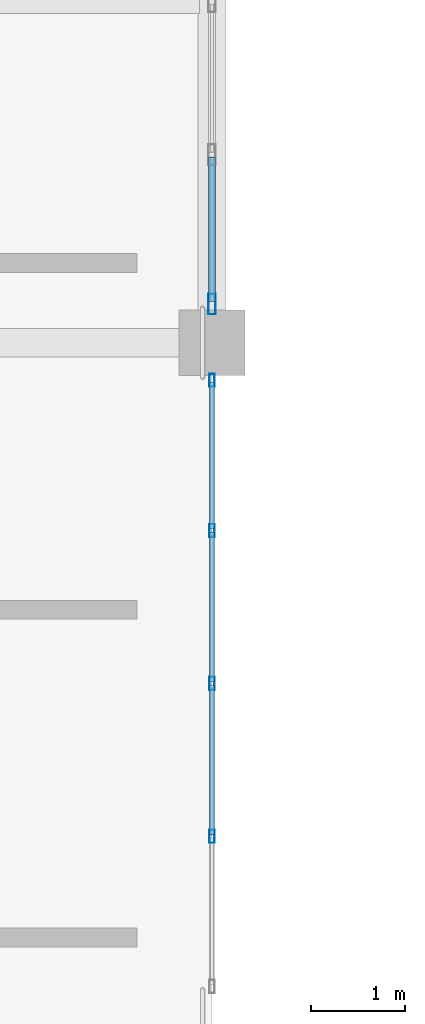
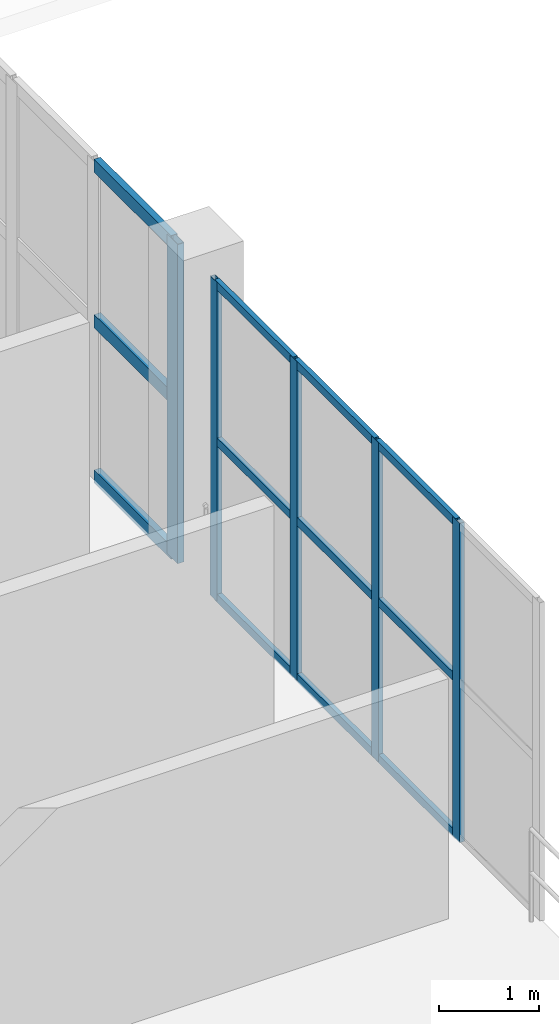
# One storey, part 64 of 130: 17 members, 2 elements without a shape of their own.
"""IFC4 building model written with IfcOpenShell, lengths in metres."""

import ifcopenshell
import ifcopenshell.guid

model = None  # the IFC model being written
_history = None  # IfcOwnerHistory: only IFC2X3 demands one
_inside = {}  # id of a spatial element -> (the spatial element, [elements in it])
_under = {}  # id of a project, library or spatial element -> (it, [spatial elements below it])
_declared = {}  # id of a project -> (the project, [libraries it declares])
_typed = {}  # id of a type object -> (the type object, [elements of that type])
_made_of = {}  # id of a material, layer set ... -> (it, [elements and type objects made of it])


def new_model(schema):
    """Start an empty IFC model of exactly this schema.

    Asked for "IFC4X3", IfcOpenShell would pick the latest addendum, in which some entities
    have other attributes; the version numbers below select the first issue.
    IFC2X3 requires an IfcOwnerHistory on every rooted entity: one is made here for all.
    """
    global model, _history
    if schema == "IFC4X3":
        model = ifcopenshell.file(schema_version=(4, 3, 0, 0))
    else:
        model = ifcopenshell.file(schema=schema)
    _inside.clear()
    _under.clear()
    _declared.clear()
    _typed.clear()
    _made_of.clear()
    _history = None
    if model.schema == "IFC2X3":
        org = make("IfcOrganization", Name="unknown")
        user = make(
            "IfcPersonAndOrganization",
            ThePerson=make("IfcPerson", FamilyName="unknown"),
            TheOrganization=org,
        )
        app = make(
            "IfcApplication",
            ApplicationDeveloper=org,
            Version="unknown",
            ApplicationFullName="unknown",
            ApplicationIdentifier="unknown",
        )
        _history = make(
            "IfcOwnerHistory",
            OwningUser=user,
            OwningApplication=app,
            ChangeAction="ADDED",
            CreationDate=0,
        )
    return model


def make(cls, **values):
    """One entity of the class cls with the attributes given. An attribute that is None is left unset."""
    return model.create_entity(
        cls, **{name: value for name, value in values.items() if value is not None}
    )


def rooted(cls, **values):
    """An entity with a GlobalId (a new one), such as an element, a storey or a relation."""
    return make(cls, GlobalId=ifcopenshell.guid.new(), OwnerHistory=_history, **values)


def si_unit(unit_type, name, prefix=None):
    """IfcSIUnit, for example si_unit("LENGTHUNIT", "METRE", prefix="MILLI")."""
    return make("IfcSIUnit", UnitType=unit_type, Prefix=prefix, Name=name)


def assignment(units):
    """IfcUnitAssignment: the units of a project."""
    return None if units is None else make("IfcUnitAssignment", Units=units)


def point(xyz):
    """IfcCartesianPoint."""
    return None if xyz is None else make("IfcCartesianPoint", Coordinates=xyz)


def direction(xyz):
    """IfcDirection."""
    return None if xyz is None else make("IfcDirection", DirectionRatios=xyz)


def frame(location, z_axis=None, x_axis=None):
    """IfcAxis2Placement3D, a coordinate frame: its origin and axes. An axis left out is left unset."""
    return make(
        "IfcAxis2Placement3D",
        Location=point(location),
        Axis=direction(z_axis),
        RefDirection=direction(x_axis),
    )


def frame_2d(location, x_axis=None):
    """IfcAxis2Placement2D, a coordinate frame in the plane: its origin and x axis."""
    return make(
        "IfcAxis2Placement2D", Location=point(location), RefDirection=direction(x_axis)
    )


def origin():
    """The frame at (0, 0, 0) with its axes left unset."""
    return frame((0.0, 0.0, 0.0))


def origin_2d():
    """The frame at (0, 0) in the plane with its x axis left unset."""
    return frame_2d((0.0, 0.0))


def place(relative_to, where):
    """IfcLocalPlacement: puts the frame where relative to a parent placement (None: the world)."""
    return make(
        "IfcLocalPlacement", PlacementRelTo=relative_to, RelativePlacement=where
    )


def context(
    kind, dimensions, precision=None, world=None, true_north=None, identifier=None
):
    """IfcGeometricRepresentationContext, for example the 3D "Model" context."""
    return make(
        "IfcGeometricRepresentationContext",
        ContextIdentifier=identifier,
        ContextType=kind,
        CoordinateSpaceDimension=dimensions,
        Precision=precision,
        WorldCoordinateSystem=world,
        TrueNorth=true_north,
    )


def subcontext(parent, identifier, kind, view, scale=None):
    """IfcGeometricRepresentationSubContext, for example "Body" below "Model"."""
    return make(
        "IfcGeometricRepresentationSubContext",
        ContextIdentifier=identifier,
        ContextType=kind,
        ParentContext=parent,
        TargetScale=scale,
        TargetView=view,
    )


def project(units=None, contexts=None):
    """IfcProject with its units and contexts."""
    return rooted(
        "IfcProject",
        Name="project",
        RepresentationContexts=contexts,
        UnitsInContext=assignment(units),
    )


def spatial(cls, under=None, at=None, **own):
    """A site, building, storey or space (cls), placed at a placement, below another one or the project."""
    s = rooted(cls, ObjectPlacement=at, **own)
    if under is not None:
        _under.setdefault(under.id(), (under, []))[1].append(s)
    return s


def profile(cls, at=None, kind="AREA", **sizes):
    """A parametric profile (cls). Its sizes go by their IFC names, for example OverallWidth=200.0."""
    return make(cls, ProfileType=kind, Position=at, **sizes)


def hollow_rectangle(**sizes):
    """IfcRectangleHollowProfileDef."""
    return profile("IfcRectangleHollowProfileDef", **sizes)


def extrude(swept, where, along, depth):
    """IfcExtrudedAreaSolid: the profile swept, set in the frame where, extruded along a direction by depth."""
    return make(
        "IfcExtrudedAreaSolid",
        SweptArea=swept,
        Position=where,
        ExtrudedDirection=direction(along),
        Depth=depth,
    )


def shape(context_of_items, identifier, shape_type, items):
    """IfcShapeRepresentation: the items that make up one representation, for example the "Body"."""
    return make(
        "IfcShapeRepresentation",
        ContextOfItems=context_of_items,
        RepresentationIdentifier=identifier,
        RepresentationType=shape_type,
        Items=items,
    )


def material(Name=None, Category=None):
    """IfcMaterial."""
    return make("IfcMaterial", Name=Name, Category=Category)


def material_profile(
    of_material, cross_section, Name=None, Category=None, Priority=None
):
    """IfcMaterialProfile: a cross section and its material."""
    return make(
        "IfcMaterialProfile",
        Name=Name,
        Material=of_material,
        Profile=cross_section,
        Priority=Priority,
        Category=Category,
    )


def profile_set(profiles, Name=None, composite=None):
    """IfcMaterialProfileSet."""
    return make(
        "IfcMaterialProfileSet",
        Name=Name,
        MaterialProfiles=profiles,
        CompositeProfile=composite,
    )


def made_of(thing, what):
    """Note that an element or type object is made of a material, layer set ...; save() writes the relation."""
    if what is not None:
        _made_of.setdefault(what.id(), (what, []))[1].append(thing)
    return thing


def type_object(cls, material=None, **own):
    """A type object (cls), such as IfcWallType, which elements share."""
    return made_of(rooted(cls, **own), material)


def element(
    cls,
    number,
    at=None,
    inside=None,
    cuts=None,
    type_object=None,
    material=None,
    context=None,
    identifier="Body",
    shape_type=None,
    held_by="IfcProductDefinitionShape",
    body=None,
    shapes=None,
    **own,
):
    """One element of the class cls, such as IfcWall. Its Tag is "e" and its number.

    at: its placement. inside: the storey or other place that contains it. cuts: it is an
    opening in that element (IfcRelVoidsElement). A single representation is given by context,
    identifier, shape_type and body (its items); several are given by shapes. held_by: the class
    of the entity that holds the representations. save() writes the other relations.
    """
    e = rooted(cls, Tag="e%d" % number, ObjectPlacement=at, **own)
    if body is not None:
        shapes = [shape(context, identifier, shape_type, body)]
    if shapes is not None:
        e.Representation = make(held_by, Representations=shapes)
    if inside is not None:
        _inside.setdefault(inside.id(), (inside, []))[1].append(e)
    if cuts is not None:
        rooted(
            "IfcRelVoidsElement", RelatingBuildingElement=cuts, RelatedOpeningElement=e
        )
    if type_object is not None:
        _typed.setdefault(type_object.id(), (type_object, []))[1].append(e)
    return made_of(e, material)


def aggregate(whole, parts):
    """IfcRelAggregates: a whole, such as a stair, and the parts it consists of."""
    return rooted("IfcRelAggregates", RelatingObject=whole, RelatedObjects=parts)


def save(model, path):
    """Write the relations noted so far, then the file.

    IfcRelAggregates (storeys below a building ...), IfcRelContainedInSpatialStructure (elements
    in a storey), IfcRelDefinesByType, IfcRelAssociatesMaterial and IfcRelDeclares: one each for
    every whole, place, type object, material and project.
    """
    for whole, parts in _under.values():
        aggregate(whole, parts)
    for where, things in _inside.values():
        rooted(
            "IfcRelContainedInSpatialStructure",
            RelatedElements=things,
            RelatingStructure=where,
        )
    for kind, things in _typed.values():
        rooted("IfcRelDefinesByType", RelatedObjects=things, RelatingType=kind)
    for what, things in _made_of.values():
        rooted("IfcRelAssociatesMaterial", RelatedObjects=things, RelatingMaterial=what)
    for by, libraries in _declared.values():
        rooted("IfcRelDeclares", RelatingContext=by, RelatedDefinitions=libraries)
    model.write(path)


model = new_model("IFC4")

# Units and contexts
model_context = context("Model", 3, precision=1e-05, world=origin(), true_north=direction((0.0, 1.0)))
body_context = subcontext(model_context, "Body", "Model", "MODEL_VIEW")
ifc_project = project(units=[si_unit("LENGTHUNIT", "METRE"), si_unit("AREAUNIT", "SQUARE_METRE"), si_unit("VOLUMEUNIT", "CUBIC_METRE"), si_unit("PLANEANGLEUNIT", "RADIAN"), si_unit("MASSUNIT", "GRAM", prefix="KILO")], contexts=[model_context])

# Site, building, storey
site_placement = place(None, origin())
site = spatial("IfcSite", under=ifc_project, at=site_placement, CompositionType="ELEMENT")
building_placement = place(site_placement, origin())
building = spatial("IfcBuilding", under=site, at=building_placement, Name="Qandorah Velis Arena", CompositionType="ELEMENT")
storey_placement = place(building_placement, frame((0.0, 0.0, 9.60009765625)))
storey = spatial("IfcBuildingStorey", under=building, at=storey_placement, Name="L02", CompositionType="ELEMENT", Elevation=9.60009765625)

# Curtain wall, members
ifc_material_1 = material(Name="Solar-control low-E double glazing", Category="glass")
curtain_wall_type_1 = type_object("IfcCurtainWallType", Name="ARC-CW-SYS16", PredefinedType="USERDEFINED", material=ifc_material_1)
curtain_wall_1_placement = place(storey_placement, origin())
curtain_wall_1 = element("IfcCurtainWall", 1, at=curtain_wall_1_placement, inside=storey, type_object=curtain_wall_type_1, Name="Unitised curtain wall L02-112", ObjectType="UNITISED CURTAIN WALL", PredefinedType="USERDEFINED")
ifc_material_2 = material(Name="Champagne-bronze anodized aluminium 6063-T6", Category="aluminium")
ifc_material_profile_1 = material_profile(ifc_material_2, hollow_rectangle(XDim=0.054931640625, YDim=0.139892578125, WallThickness=0.0029296875, at=origin_2d()), Name="ALU MULLION 55x140")
ifc_profile_set_1 = profile_set([ifc_material_profile_1], Name="Champagne-bronze anodized aluminium 6063-T6")
member_type_1 = type_object("IfcMemberType", Name="ARC-CWM-140", PredefinedType="MULLION", material=ifc_profile_set_1)
member_1_placement = place(storey_placement, frame((122.39990234375, 81.13134765625, -0.01513671875), z_axis=(0.0, 0.0, 1.0), x_axis=(-1.0, 0.0, 0.0)))
member_1 = element("IfcMember", 2, at=member_1_placement, type_object=member_type_1, Name="CW16 mullion 2", PredefinedType="MULLION", context=body_context, shape_type="SweptSolid", body=[
    extrude(hollow_rectangle(XDim=0.054931640625, YDim=0.139892578125, WallThickness=0.0029296875, at=origin_2d()), origin(), (0.0, 0.0, 1.0), 3.91015625),
])
member_2_placement = place(storey_placement, frame((122.39990234375, 82.762451171875, -0.01513671875), z_axis=(0.0, 0.0, 1.0), x_axis=(-1.0, 0.0, 0.0)))
member_2 = element("IfcMember", 3, at=member_2_placement, type_object=member_type_1, Name="CW16 mullion 3", PredefinedType="MULLION", context=body_context, shape_type="SweptSolid", body=[
    extrude(hollow_rectangle(XDim=0.054931640625, YDim=0.139892578125, WallThickness=0.0029296875, at=origin_2d()), origin(), (0.0, 0.0, 1.0), 3.91015625),
])
member_3_placement = place(storey_placement, frame((122.39990234375, 84.393798828125, -0.01513671875), z_axis=(0.0, 0.0, 1.0), x_axis=(-1.0, 0.0, 0.0)))
member_3 = element("IfcMember", 4, at=member_3_placement, type_object=member_type_1, Name="CW16 mullion 4", PredefinedType="MULLION", context=body_context, shape_type="SweptSolid", body=[
    extrude(hollow_rectangle(XDim=0.054931640625, YDim=0.139892578125, WallThickness=0.0029296875, at=origin_2d()), origin(), (0.0, 0.0, 1.0), 3.91015625),
])
member_4_placement = place(storey_placement, frame((122.39990234375, 85.99755859375, -0.01513671875), z_axis=(0.0, 0.0, 1.0), x_axis=(-1.0, 0.0, 0.0)))
member_4 = element("IfcMember", 5, at=member_4_placement, type_object=member_type_1, Name="CW16 mullion 5", PredefinedType="MULLION", context=body_context, shape_type="SweptSolid", body=[
    extrude(hollow_rectangle(XDim=0.054931640625, YDim=0.139892578125, WallThickness=0.0029296875, at=origin_2d()), origin(), (0.0, 0.0, 1.0), 3.91015625),
])

# Curtain wall, member
curtain_wall_type_2 = type_object("IfcCurtainWallType", Name="ARC-CW-SYS05", PredefinedType="USERDEFINED", material=ifc_material_1)
curtain_wall_2_placement = place(storey_placement, origin())
curtain_wall_2 = element("IfcCurtainWall", 6, at=curtain_wall_2_placement, inside=storey, type_object=curtain_wall_type_2, Name="Unitised curtain wall L02-173", ObjectType="UNITISED CURTAIN WALL", PredefinedType="USERDEFINED")
ifc_material_profile_2 = material_profile(ifc_material_2, hollow_rectangle(XDim=0.074951171875, YDim=0.219970703125, WallThickness=0.00390625, at=origin_2d()), Name="ALU MULLION 75x220")
ifc_profile_set_2 = profile_set([ifc_material_profile_2], Name="Champagne-bronze anodized aluminium 6063-T6")
member_type_2 = type_object("IfcMemberType", Name="ARC-CWM-220", PredefinedType="MULLION", material=ifc_profile_set_2)
member_5_placement = place(storey_placement, frame((122.39990234375, 86.8125, -0.01513671875), z_axis=(0.0, 0.0, 1.0), x_axis=(-1.0, 0.0, 0.0)))
member_5 = element("IfcMember", 7, at=member_5_placement, type_object=member_type_2, Name="CW05 mullion 1", PredefinedType="MULLION", context=body_context, shape_type="SweptSolid", body=[
    extrude(hollow_rectangle(XDim=0.074951171875, YDim=0.219970703125, WallThickness=0.00390625, at=origin_2d()), origin(), (0.0, 0.0, 1.0), 3.91015625),
])

# Member
ifc_material_profile_3 = material_profile(ifc_material_2, hollow_rectangle(XDim=0.054931640625, YDim=0.10009765625, WallThickness=0.0029296875, at=origin_2d()), Name="ALU TRANSOM 55x100")
ifc_profile_set_3 = profile_set([ifc_material_profile_3], Name="Champagne-bronze anodized aluminium 6063-T6")
member_type_3 = type_object("IfcMemberType", Name="ARC-CWT-100", PredefinedType="USERDEFINED", material=ifc_profile_set_3)
member_6_placement = place(storey_placement, frame((122.39990234375, 81.146728515625, 0.02734375), z_axis=(0.0, 1.0, 0.0), x_axis=(-1.0, 0.0, 0.0)))
member_6 = element("IfcMember", 8, at=member_6_placement, type_object=member_type_3, Name="CW16 transom 2.1", ObjectType="TRANSOM", PredefinedType="USERDEFINED", context=body_context, shape_type="SweptSolid", body=[
    extrude(hollow_rectangle(XDim=0.054931640625, YDim=0.10009765625, WallThickness=0.0029296875, at=origin_2d()), origin(), (0.0, 0.0, 1.0), 1.600341796875),
])

member_7_placement = place(storey_placement, frame((122.39990234375, 81.146728515625, 1.93994140625), z_axis=(0.0, 1.0, 0.0), x_axis=(-1.0, 0.0, 0.0)))
member_7 = element("IfcMember", 9, at=member_7_placement, type_object=member_type_3, Name="CW16 transom 2.2", ObjectType="TRANSOM", PredefinedType="USERDEFINED", context=body_context, shape_type="SweptSolid", body=[
    extrude(hollow_rectangle(XDim=0.054931640625, YDim=0.10009765625, WallThickness=0.0029296875, at=origin_2d()), origin(), (0.0, 0.0, 1.0), 1.600341796875),
])

member_8_placement = place(storey_placement, frame((122.39990234375, 81.146728515625, 3.852294921875), z_axis=(0.0, 1.0, 0.0), x_axis=(-1.0, 0.0, 0.0)))
member_8 = element("IfcMember", 10, at=member_8_placement, type_object=member_type_3, Name="CW16 transom 2.3", ObjectType="TRANSOM", PredefinedType="USERDEFINED", context=body_context, shape_type="SweptSolid", body=[
    extrude(hollow_rectangle(XDim=0.054931640625, YDim=0.10009765625, WallThickness=0.0029296875, at=origin_2d()), origin(), (0.0, 0.0, 1.0), 1.600341796875),
])

member_9_placement = place(storey_placement, frame((122.39990234375, 82.778076171875, 0.02734375), z_axis=(0.0, 1.0, 0.0), x_axis=(-1.0, 0.0, 0.0)))
member_9 = element("IfcMember", 11, at=member_9_placement, type_object=member_type_3, Name="CW16 transom 3.1", ObjectType="TRANSOM", PredefinedType="USERDEFINED", context=body_context, shape_type="SweptSolid", body=[
    extrude(hollow_rectangle(XDim=0.054931640625, YDim=0.10009765625, WallThickness=0.0029296875, at=origin_2d()), origin(), (0.0, 0.0, 1.0), 1.600341796875),
])

member_10_placement = place(storey_placement, frame((122.39990234375, 82.778076171875, 1.93994140625), z_axis=(0.0, 1.0, 0.0), x_axis=(-1.0, 0.0, 0.0)))
member_10 = element("IfcMember", 12, at=member_10_placement, type_object=member_type_3, Name="CW16 transom 3.2", ObjectType="TRANSOM", PredefinedType="USERDEFINED", context=body_context, shape_type="SweptSolid", body=[
    extrude(hollow_rectangle(XDim=0.054931640625, YDim=0.10009765625, WallThickness=0.0029296875, at=origin_2d()), origin(), (0.0, 0.0, 1.0), 1.600341796875),
])

member_11_placement = place(storey_placement, frame((122.39990234375, 82.778076171875, 3.852294921875), z_axis=(0.0, 1.0, 0.0), x_axis=(-1.0, 0.0, 0.0)))
member_11 = element("IfcMember", 13, at=member_11_placement, type_object=member_type_3, Name="CW16 transom 3.3", ObjectType="TRANSOM", PredefinedType="USERDEFINED", context=body_context, shape_type="SweptSolid", body=[
    extrude(hollow_rectangle(XDim=0.054931640625, YDim=0.10009765625, WallThickness=0.0029296875, at=origin_2d()), origin(), (0.0, 0.0, 1.0), 1.600341796875),
])

member_12_placement = place(storey_placement, frame((122.39990234375, 84.4091796875, 0.02734375), z_axis=(0.0, 1.0, 0.0), x_axis=(-1.0, 0.0, 0.0)))
member_12 = element("IfcMember", 14, at=member_12_placement, type_object=member_type_3, Name="CW16 transom 4.1", ObjectType="TRANSOM", PredefinedType="USERDEFINED", context=body_context, shape_type="SweptSolid", body=[
    extrude(hollow_rectangle(XDim=0.054931640625, YDim=0.10009765625, WallThickness=0.0029296875, at=origin_2d()), origin(), (0.0, 0.0, 1.0), 1.57275390625),
])

member_13_placement = place(storey_placement, frame((122.39990234375, 84.4091796875, 1.93994140625), z_axis=(0.0, 1.0, 0.0), x_axis=(-1.0, 0.0, 0.0)))
member_13 = element("IfcMember", 15, at=member_13_placement, type_object=member_type_3, Name="CW16 transom 4.2", ObjectType="TRANSOM", PredefinedType="USERDEFINED", context=body_context, shape_type="SweptSolid", body=[
    extrude(hollow_rectangle(XDim=0.054931640625, YDim=0.10009765625, WallThickness=0.0029296875, at=origin_2d()), origin(), (0.0, 0.0, 1.0), 1.57275390625),
])

member_14_placement = place(storey_placement, frame((122.39990234375, 84.4091796875, 3.852294921875), z_axis=(0.0, 1.0, 0.0), x_axis=(-1.0, 0.0, 0.0)))
member_14 = element("IfcMember", 16, at=member_14_placement, type_object=member_type_3, Name="CW16 transom 4.3", ObjectType="TRANSOM", PredefinedType="USERDEFINED", context=body_context, shape_type="SweptSolid", body=[
    extrude(hollow_rectangle(XDim=0.054931640625, YDim=0.10009765625, WallThickness=0.0029296875, at=origin_2d()), origin(), (0.0, 0.0, 1.0), 1.57275390625),
])

aggregate(curtain_wall_1, [member_1, member_2, member_3, member_4, member_6, member_7, member_8, member_9, member_10, member_11, member_12, member_13, member_14])

ifc_material_profile_4 = material_profile(ifc_material_2, hollow_rectangle(XDim=0.074951171875, YDim=0.159912109375, WallThickness=0.00341796875, at=origin_2d()), Name="ALU TRANSOM 75x160")
ifc_profile_set_4 = profile_set([ifc_material_profile_4], Name="Champagne-bronze anodized aluminium 6063-T6")
member_type_4 = type_object("IfcMemberType", Name="ARC-CWT-160", PredefinedType="USERDEFINED", material=ifc_profile_set_4)
member_15_placement = place(storey_placement, frame((122.39990234375, 86.837890625, 0.037353515625), z_axis=(0.0, 1.0, 0.0), x_axis=(-1.0, 0.0, 0.0)))
member_15 = element("IfcMember", 17, at=member_15_placement, type_object=member_type_4, Name="CW05 transom 1.1", ObjectType="TRANSOM", PredefinedType="USERDEFINED", context=body_context, shape_type="SweptSolid", body=[
    extrude(hollow_rectangle(XDim=0.074951171875, YDim=0.159912109375, WallThickness=0.00341796875, at=origin_2d()), origin(), (0.0, 0.0, 1.0), 1.54296875),
])

member_16_placement = place(storey_placement, frame((122.39990234375, 86.837890625, 1.93994140625), z_axis=(0.0, 1.0, 0.0), x_axis=(-1.0, 0.0, 0.0)))
member_16 = element("IfcMember", 18, at=member_16_placement, type_object=member_type_4, Name="CW05 transom 1.2", ObjectType="TRANSOM", PredefinedType="USERDEFINED", context=body_context, shape_type="SweptSolid", body=[
    extrude(hollow_rectangle(XDim=0.074951171875, YDim=0.159912109375, WallThickness=0.00341796875, at=origin_2d()), origin(), (0.0, 0.0, 1.0), 1.54296875),
])

member_17_placement = place(storey_placement, frame((122.39990234375, 86.837890625, 3.84228515625), z_axis=(0.0, 1.0, 0.0), x_axis=(-1.0, 0.0, 0.0)))
member_17 = element("IfcMember", 19, at=member_17_placement, type_object=member_type_4, Name="CW05 transom 1.3", ObjectType="TRANSOM", PredefinedType="USERDEFINED", context=body_context, shape_type="SweptSolid", body=[
    extrude(hollow_rectangle(XDim=0.074951171875, YDim=0.159912109375, WallThickness=0.00341796875, at=origin_2d()), origin(), (0.0, 0.0, 1.0), 1.54296875),
])

aggregate(curtain_wall_2, [member_5, member_15, member_16, member_17])

save(model, "model.ifc")
